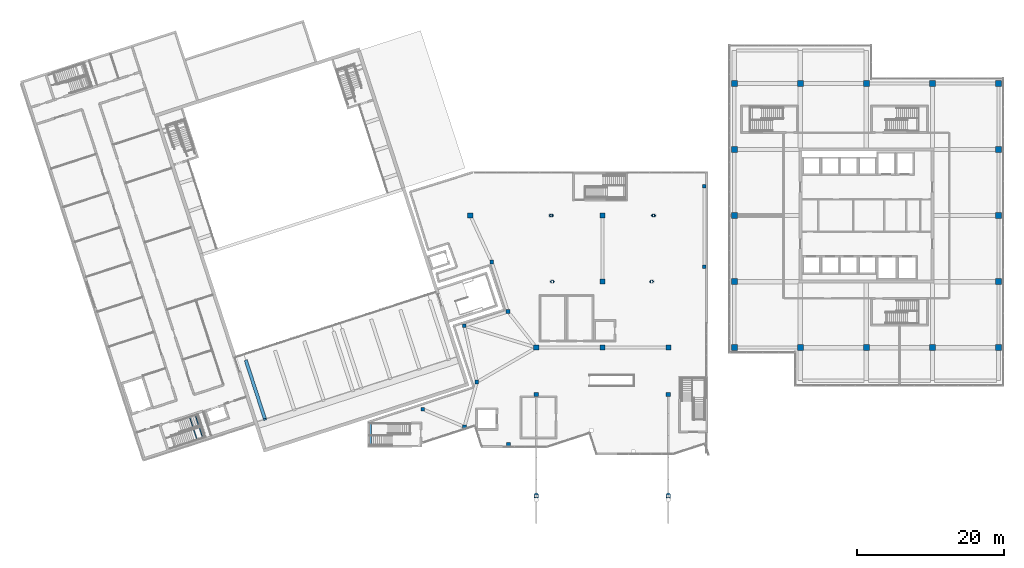
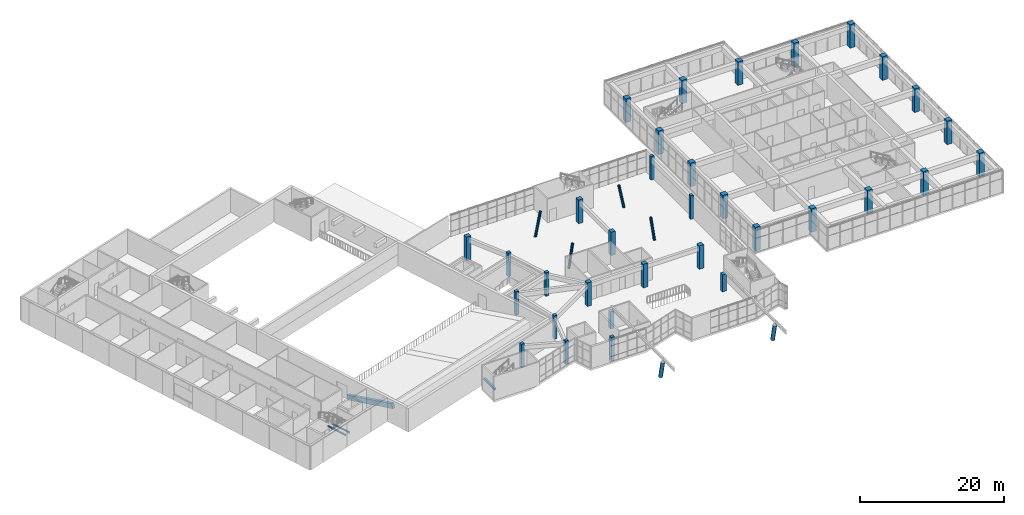
# One storey, part 1 of 65: 39 columns, 4 beams.
"""IFC4 building model written with IfcOpenShell, lengths in metres."""

import ifcopenshell
import ifcopenshell.guid

model = None  # the IFC model being written
_history = None  # IfcOwnerHistory: only IFC2X3 demands one
_inside = {}  # id of a spatial element -> (the spatial element, [elements in it])
_under = {}  # id of a project, library or spatial element -> (it, [spatial elements below it])
_declared = {}  # id of a project -> (the project, [libraries it declares])
_typed = {}  # id of a type object -> (the type object, [elements of that type])
_made_of = {}  # id of a material, layer set ... -> (it, [elements and type objects made of it])


def new_model(schema):
    """Start an empty IFC model of exactly this schema.

    Asked for "IFC4X3", IfcOpenShell would pick the latest addendum, in which some entities
    have other attributes; the version numbers below select the first issue.
    IFC2X3 requires an IfcOwnerHistory on every rooted entity: one is made here for all.
    """
    global model, _history
    if schema == "IFC4X3":
        model = ifcopenshell.file(schema_version=(4, 3, 0, 0))
    else:
        model = ifcopenshell.file(schema=schema)
    _inside.clear()
    _under.clear()
    _declared.clear()
    _typed.clear()
    _made_of.clear()
    _history = None
    if model.schema == "IFC2X3":
        org = make("IfcOrganization", Name="unknown")
        user = make(
            "IfcPersonAndOrganization",
            ThePerson=make("IfcPerson", FamilyName="unknown"),
            TheOrganization=org,
        )
        app = make(
            "IfcApplication",
            ApplicationDeveloper=org,
            Version="unknown",
            ApplicationFullName="unknown",
            ApplicationIdentifier="unknown",
        )
        _history = make(
            "IfcOwnerHistory",
            OwningUser=user,
            OwningApplication=app,
            ChangeAction="ADDED",
            CreationDate=0,
        )
    return model


def make(cls, **values):
    """One entity of the class cls with the attributes given. An attribute that is None is left unset."""
    return model.create_entity(
        cls, **{name: value for name, value in values.items() if value is not None}
    )


def rooted(cls, **values):
    """An entity with a GlobalId (a new one), such as an element, a storey or a relation."""
    return make(cls, GlobalId=ifcopenshell.guid.new(), OwnerHistory=_history, **values)


def si_unit(unit_type, name, prefix=None):
    """IfcSIUnit, for example si_unit("LENGTHUNIT", "METRE", prefix="MILLI")."""
    return make("IfcSIUnit", UnitType=unit_type, Prefix=prefix, Name=name)


def assignment(units):
    """IfcUnitAssignment: the units of a project."""
    return None if units is None else make("IfcUnitAssignment", Units=units)


def point(xyz):
    """IfcCartesianPoint."""
    return None if xyz is None else make("IfcCartesianPoint", Coordinates=xyz)


def direction(xyz):
    """IfcDirection."""
    return None if xyz is None else make("IfcDirection", DirectionRatios=xyz)


def frame(location, z_axis=None, x_axis=None):
    """IfcAxis2Placement3D, a coordinate frame: its origin and axes. An axis left out is left unset."""
    return make(
        "IfcAxis2Placement3D",
        Location=point(location),
        Axis=direction(z_axis),
        RefDirection=direction(x_axis),
    )


def frame_2d(location, x_axis=None):
    """IfcAxis2Placement2D, a coordinate frame in the plane: its origin and x axis."""
    return make(
        "IfcAxis2Placement2D", Location=point(location), RefDirection=direction(x_axis)
    )


def origin():
    """The frame at (0, 0, 0) with its axes left unset."""
    return frame((0.0, 0.0, 0.0))


def origin_2d():
    """The frame at (0, 0) in the plane with its x axis left unset."""
    return frame_2d((0.0, 0.0))


def place(relative_to, where):
    """IfcLocalPlacement: puts the frame where relative to a parent placement (None: the world)."""
    return make(
        "IfcLocalPlacement", PlacementRelTo=relative_to, RelativePlacement=where
    )


def context(
    kind, dimensions, precision=None, world=None, true_north=None, identifier=None
):
    """IfcGeometricRepresentationContext, for example the 3D "Model" context."""
    return make(
        "IfcGeometricRepresentationContext",
        ContextIdentifier=identifier,
        ContextType=kind,
        CoordinateSpaceDimension=dimensions,
        Precision=precision,
        WorldCoordinateSystem=world,
        TrueNorth=true_north,
    )


def subcontext(parent, identifier, kind, view, scale=None):
    """IfcGeometricRepresentationSubContext, for example "Body" below "Model"."""
    return make(
        "IfcGeometricRepresentationSubContext",
        ContextIdentifier=identifier,
        ContextType=kind,
        ParentContext=parent,
        TargetScale=scale,
        TargetView=view,
    )


def project(units=None, contexts=None):
    """IfcProject with its units and contexts."""
    return rooted(
        "IfcProject",
        Name="project",
        RepresentationContexts=contexts,
        UnitsInContext=assignment(units),
    )


def spatial(cls, under=None, at=None, **own):
    """A site, building, storey or space (cls), placed at a placement, below another one or the project."""
    s = rooted(cls, ObjectPlacement=at, **own)
    if under is not None:
        _under.setdefault(under.id(), (under, []))[1].append(s)
    return s


def profile(cls, at=None, kind="AREA", **sizes):
    """A parametric profile (cls). Its sizes go by their IFC names, for example OverallWidth=200.0."""
    return make(cls, ProfileType=kind, Position=at, **sizes)


def rectangle(**sizes):
    """IfcRectangleProfileDef."""
    return profile("IfcRectangleProfileDef", **sizes)


def hollow_circle(**sizes):
    """IfcCircleHollowProfileDef."""
    return profile("IfcCircleHollowProfileDef", **sizes)


def i_section(**sizes):
    """IfcIShapeProfileDef."""
    return profile("IfcIShapeProfileDef", **sizes)


def extrude(swept, where, along, depth):
    """IfcExtrudedAreaSolid: the profile swept, set in the frame where, extruded along a direction by depth."""
    return make(
        "IfcExtrudedAreaSolid",
        SweptArea=swept,
        Position=where,
        ExtrudedDirection=direction(along),
        Depth=depth,
    )


def shape(context_of_items, identifier, shape_type, items):
    """IfcShapeRepresentation: the items that make up one representation, for example the "Body"."""
    return make(
        "IfcShapeRepresentation",
        ContextOfItems=context_of_items,
        RepresentationIdentifier=identifier,
        RepresentationType=shape_type,
        Items=items,
    )


def material(Name=None, Category=None):
    """IfcMaterial."""
    return make("IfcMaterial", Name=Name, Category=Category)


def material_profile(
    of_material, cross_section, Name=None, Category=None, Priority=None
):
    """IfcMaterialProfile: a cross section and its material."""
    return make(
        "IfcMaterialProfile",
        Name=Name,
        Material=of_material,
        Profile=cross_section,
        Priority=Priority,
        Category=Category,
    )


def profile_set(profiles, Name=None, composite=None):
    """IfcMaterialProfileSet."""
    return make(
        "IfcMaterialProfileSet",
        Name=Name,
        MaterialProfiles=profiles,
        CompositeProfile=composite,
    )


def made_of(thing, what):
    """Note that an element or type object is made of a material, layer set ...; save() writes the relation."""
    if what is not None:
        _made_of.setdefault(what.id(), (what, []))[1].append(thing)
    return thing


def type_object(cls, material=None, **own):
    """A type object (cls), such as IfcWallType, which elements share."""
    return made_of(rooted(cls, **own), material)


def element(
    cls,
    number,
    at=None,
    inside=None,
    cuts=None,
    type_object=None,
    material=None,
    context=None,
    identifier="Body",
    shape_type=None,
    held_by="IfcProductDefinitionShape",
    body=None,
    shapes=None,
    **own,
):
    """One element of the class cls, such as IfcWall. Its Tag is "e" and its number.

    at: its placement. inside: the storey or other place that contains it. cuts: it is an
    opening in that element (IfcRelVoidsElement). A single representation is given by context,
    identifier, shape_type and body (its items); several are given by shapes. held_by: the class
    of the entity that holds the representations. save() writes the other relations.
    """
    e = rooted(cls, Tag="e%d" % number, ObjectPlacement=at, **own)
    if body is not None:
        shapes = [shape(context, identifier, shape_type, body)]
    if shapes is not None:
        e.Representation = make(held_by, Representations=shapes)
    if inside is not None:
        _inside.setdefault(inside.id(), (inside, []))[1].append(e)
    if cuts is not None:
        rooted(
            "IfcRelVoidsElement", RelatingBuildingElement=cuts, RelatedOpeningElement=e
        )
    if type_object is not None:
        _typed.setdefault(type_object.id(), (type_object, []))[1].append(e)
    return made_of(e, material)


def aggregate(whole, parts):
    """IfcRelAggregates: a whole, such as a stair, and the parts it consists of."""
    return rooted("IfcRelAggregates", RelatingObject=whole, RelatedObjects=parts)


def save(model, path):
    """Write the relations noted so far, then the file.

    IfcRelAggregates (storeys below a building ...), IfcRelContainedInSpatialStructure (elements
    in a storey), IfcRelDefinesByType, IfcRelAssociatesMaterial and IfcRelDeclares: one each for
    every whole, place, type object, material and project.
    """
    for whole, parts in _under.values():
        aggregate(whole, parts)
    for where, things in _inside.values():
        rooted(
            "IfcRelContainedInSpatialStructure",
            RelatedElements=things,
            RelatingStructure=where,
        )
    for kind, things in _typed.values():
        rooted("IfcRelDefinesByType", RelatedObjects=things, RelatingType=kind)
    for what, things in _made_of.values():
        rooted("IfcRelAssociatesMaterial", RelatedObjects=things, RelatingMaterial=what)
    for by, libraries in _declared.values():
        rooted("IfcRelDeclares", RelatingContext=by, RelatedDefinitions=libraries)
    model.write(path)


model = new_model("IFC4")

# Units and contexts
model_context = context("Model", 3, precision=1e-05, world=origin(), true_north=direction((0.0, 1.0)))
body_context = subcontext(model_context, "Body", "Model", "MODEL_VIEW")
ifc_project = project(units=[si_unit("LENGTHUNIT", "METRE"), si_unit("AREAUNIT", "SQUARE_METRE"), si_unit("VOLUMEUNIT", "CUBIC_METRE"), si_unit("PLANEANGLEUNIT", "RADIAN"), si_unit("MASSUNIT", "GRAM", prefix="KILO")], contexts=[model_context])

# Site, building, storey
site_placement = place(None, origin())
site = spatial("IfcSite", under=ifc_project, at=site_placement, CompositionType="ELEMENT")
building_placement = place(site_placement, origin())
building = spatial("IfcBuilding", under=site, at=building_placement, Name="Tuart Plaza Theatre", CompositionType="ELEMENT")
storey_placement = place(building_placement, frame((0.0, 0.0, 9.5)))
storey = spatial("IfcBuildingStorey", under=building, at=storey_placement, Name="L02", CompositionType="ELEMENT", Elevation=9.5)

# Columns
ifc_material_1 = material(Name="Steel Grade C350L0", Category="steel")
ifc_material_profile_1 = material_profile(ifc_material_1, hollow_circle(Radius=0.203125, WallThickness=0.0126953125, at=origin_2d()), Name="406.4x12.7 CHS")
ifc_profile_set_1 = profile_set([ifc_material_profile_1], Name="Steel Grade C350L0")
column_type_1 = type_object("IfcColumnType", Name="COLUMN 406.4x12.7 CHS", PredefinedType="COLUMN", material=ifc_profile_set_1)
for number, where, z_axis, x_axis, name in (
    (1, (89.084228515625, 65.0, 0.0), (0.144228040259, 0.0, 0.989544477223), (0.0, 1.0, 0.0), "SC27"),
    (2, (102.815673828125, 65.0, 0.0), (-0.144168898847, 0.0, 0.989553095395), (0.0, -1.0, 0.0), "SC28"),
):
    element("IfcColumn", number, at=place(storey_placement, frame(where, z_axis=z_axis, x_axis=x_axis)), inside=storey, type_object=column_type_1, Name=name, PredefinedType="COLUMN", context=body_context, shape_type="SweptSolid", body=[
        extrude(hollow_circle(Radius=0.203125, WallThickness=0.0126953125, at=origin_2d()), origin(), (0.0, 0.0, 1.0), 4.042236328125),
    ])
for number, where, z_axis, x_axis, name in (
    (3, (88.89990234375, 74.0, 0.0), (0.196127644693, 0.0, 0.98057837371), (0.0, 1.0, 0.0), "SC29"),
    (4, (103.10009765625, 74.0, 0.0), (-0.196127644693, 0.0, 0.98057837371), (0.0, -1.0, 0.0), "SC30"),
):
    element("IfcColumn", number, at=place(storey_placement, frame(where, z_axis=z_axis, x_axis=x_axis)), inside=storey, type_object=column_type_1, Name=name, PredefinedType="COLUMN", context=body_context, shape_type="SweptSolid", body=[
        extrude(hollow_circle(Radius=0.203125, WallThickness=0.0126953125, at=origin_2d()), origin(), (0.0, 0.0, 1.0), 4.079345703125),
    ])
ifc_material_2 = material(Name="Concrete N50 (50 MPa)", Category="concrete")
ifc_material_profile_2 = material_profile(ifc_material_2, rectangle(XDim=0.5, YDim=0.5, at=origin_2d()), Name="COLUMN 500x500 Concrete N50 (50 MPa)")
ifc_profile_set_2 = profile_set([ifc_material_profile_2], Name="Concrete N50 (50 MPa)")
column_type_2 = type_object("IfcColumnType", Name="COLUMN 500x500 Concrete N50 (50 MPa)", PredefinedType="COLUMN", material=ifc_profile_set_2)
for number, where, z_axis, x_axis, name in (
    (5, (109.909912109375, 78.0, 0.0), (0.0, 0.0, 1.0), (1.0, 0.0, 0.0), "C37"),
    (6, (109.909912109375, 67.0, 0.0), (0.0, 0.0, 1.0), (1.0, 0.0, 0.0), "C38"),
    (7, (83.199951171875, 42.780029296875, 0.0), (0.0, 0.0, 1.0), (1.0, 0.0, 0.0), "C41"),
    (8, (77.199951171875, 45.199951171875, 0.0), (0.0, 0.0, 1.0), (1.0, 0.0, 0.0), "C42"),
    (9, (71.5, 47.60009765625, 0.0), (0.0, 0.0, 1.0), (1.0, 0.0, 0.0), "C43"),
    (10, (78.89990234375, 51.300048828125, 0.0), (0.0, 0.0, 1.0), (1.0, 0.0, 0.0), "C44"),
    (11, (77.181640625, 58.9853515625, 0.0), (0.0, 0.0, 1.0), (1.0, 0.0, 0.0), "C45"),
    (12, (83.1298828125, 60.909912109375, 0.0), (0.0, 0.0, 1.0), (1.0, 0.0, 0.0), "C46"),
    (13, (80.929931640625, 67.659912109375, 0.0), (0.0, 0.0, 1.0), (1.0, 0.0, 0.0), "C47"),
):
    element("IfcColumn", number, at=place(storey_placement, frame(where, z_axis=z_axis, x_axis=x_axis)), inside=storey, type_object=column_type_2, Name=name, PredefinedType="COLUMN", context=body_context, shape_type="SweptSolid", body=[
        extrude(rectangle(XDim=0.5, YDim=0.5, at=origin_2d()), origin(), (0.0, 0.0, 1.0), 4.0),
    ])
ifc_material_3 = material(Name="Concrete N50 (50 MPa)", Category="concrete")
ifc_material_profile_3 = material_profile(ifc_material_3, rectangle(XDim=0.60009765625, YDim=0.60009765625, at=origin_2d()), Name="COLUMN 600x600 Concrete N50 (50 MPa)")
ifc_profile_set_3 = profile_set([ifc_material_profile_3], Name="Concrete N50 (50 MPa)")
column_type_3 = type_object("IfcColumnType", Name="COLUMN 600x600 Concrete N50 (50 MPa)", PredefinedType="COLUMN", material=ifc_profile_set_3)
for number, where, z_axis, x_axis, name in (
    (14, (87.0, 49.60009765625, 0.0), (0.0, 0.0, 1.0), (1.0, 0.0, 0.0), "C48"),
    (15, (105.0, 49.60009765625, 0.0), (0.0, 0.0, 1.0), (1.0, 0.0, 0.0), "C49"),
):
    element("IfcColumn", number, at=place(storey_placement, frame(where, z_axis=z_axis, x_axis=x_axis)), inside=storey, type_object=column_type_3, Name=name, PredefinedType="COLUMN", context=body_context, shape_type="SweptSolid", body=[
        extrude(rectangle(XDim=0.60009765625, YDim=0.60009765625, at=origin_2d()), origin(), (0.0, 0.0, 1.0), 2.89990234375),
    ])
ifc_material_4 = material(Name="Steel Grade C350L0", Category="steel")
ifc_material_profile_4 = material_profile(ifc_material_4, hollow_circle(Radius=0.304931640625, WallThickness=0.0126953125, at=origin_2d()), Name="610x12.7 CHS")
ifc_profile_set_4 = profile_set([ifc_material_profile_4], Name="Steel Grade C350L0")
column_type_4 = type_object("IfcColumnType", Name="COLUMN 610x12.7 CHS", PredefinedType="COLUMN", material=ifc_profile_set_4)
for number, where, z_axis, x_axis, name in (
    (16, (87.0, 35.888916015625, 0.0), (0.0, -0.216983887179, 0.976175185458), (1.0, 0.0, 0.0), "SC25"),
    (17, (105.0, 35.888916015625, 0.0), (0.0, -0.216983887179, 0.976175185458), (1.0, 0.0, 0.0), "SC26"),
):
    element("IfcColumn", number, at=place(storey_placement, frame(where, z_axis=z_axis, x_axis=x_axis)), inside=storey, type_object=column_type_4, Name=name, PredefinedType="COLUMN", context=body_context, shape_type="SweptSolid", body=[
        extrude(hollow_circle(Radius=0.304931640625, WallThickness=0.0126953125, at=origin_2d()), origin(), (0.0, 0.0, 1.0), 2.90283203125),
    ])
ifc_material_5 = material(Name="Concrete N50 (50 MPa)", Category="concrete")
ifc_material_profile_5 = material_profile(ifc_material_5, rectangle(XDim=0.699951171875, YDim=0.699951171875, at=origin_2d()), Name="COLUMN 700x700 Concrete N50 (50 MPa)")
ifc_profile_set_5 = profile_set([ifc_material_profile_5], Name="Concrete N50 (50 MPa)")
column_type_5 = type_object("IfcColumnType", Name="COLUMN 700x700 Concrete N50 (50 MPa)", PredefinedType="COLUMN", material=ifc_profile_set_5)
for number, where, z_axis, x_axis, name in (
    (18, (78.0, 74.0, 0.0), (0.0, 0.0, 1.0), (1.0, 0.0, 0.0), "C31"),
    (19, (87.0, 56.0, 0.0), (0.0, 0.0, 1.0), (1.0, 0.0, 0.0), "C32"),
    (20, (96.0, 56.0, 0.0), (0.0, 0.0, 1.0), (1.0, 0.0, 0.0), "C33"),
    (21, (96.0, 65.0, 0.0), (0.0, 0.0, 1.0), (1.0, 0.0, 0.0), "C34"),
    (22, (96.0, 74.0, 0.0), (0.0, 0.0, 1.0), (1.0, 0.0, 0.0), "C35"),
    (23, (105.0, 56.0, 0.0), (0.0, 0.0, 1.0), (1.0, 0.0, 0.0), "C36"),
):
    element("IfcColumn", number, at=place(storey_placement, frame(where, z_axis=z_axis, x_axis=x_axis)), inside=storey, type_object=column_type_5, Name=name, PredefinedType="COLUMN", context=body_context, shape_type="SweptSolid", body=[
        extrude(rectangle(XDim=0.699951171875, YDim=0.699951171875, at=origin_2d()), origin(), (0.0, 0.0, 1.0), 4.0),
    ])
ifc_material_6 = material(Name="Concrete N50 (50 MPa)", Category="concrete")
ifc_material_profile_6 = material_profile(ifc_material_6, rectangle(XDim=0.800048828125, YDim=0.800048828125, at=origin_2d()), Name="COLUMN 800x800 Concrete N50 (50 MPa)")
ifc_profile_set_6 = profile_set([ifc_material_profile_6], Name="Concrete N50 (50 MPa)")
column_type_6 = type_object("IfcColumnType", Name="COLUMN 800x800 Concrete N50 (50 MPa)", PredefinedType="COLUMN", material=ifc_profile_set_6)
for number, where, z_axis, x_axis, name in (
    (24, (114.0, 56.0, 0.0), (0.0, 0.0, 1.0), (1.0, 0.0, 0.0), "C50"),
    (25, (114.0, 65.0, 0.0), (0.0, 0.0, 1.0), (1.0, 0.0, 0.0), "C51"),
    (26, (114.0, 74.0, 0.0), (0.0, 0.0, 1.0), (1.0, 0.0, 0.0), "C52"),
    (27, (114.0, 83.0, 0.0), (0.0, 0.0, 1.0), (1.0, 0.0, 0.0), "C53"),
    (28, (114.0, 92.0, 0.0), (0.0, 0.0, 1.0), (1.0, 0.0, 0.0), "C54"),
    (29, (123.0, 56.0, 0.0), (0.0, 0.0, 1.0), (1.0, 0.0, 0.0), "C55"),
    (30, (123.0, 92.0, 0.0), (0.0, 0.0, 1.0), (1.0, 0.0, 0.0), "C56"),
    (31, (132.0, 56.0, 0.0), (0.0, 0.0, 1.0), (1.0, 0.0, 0.0), "C57"),
    (32, (132.0, 92.0, 0.0), (0.0, 0.0, 1.0), (1.0, 0.0, 0.0), "C58"),
    (33, (141.0, 56.0, 0.0), (0.0, 0.0, 1.0), (1.0, 0.0, 0.0), "C59"),
    (34, (141.0, 92.0, 0.0), (0.0, 0.0, 1.0), (1.0, 0.0, 0.0), "C60"),
    (35, (150.0, 56.0, 0.0), (0.0, 0.0, 1.0), (1.0, 0.0, 0.0), "C61"),
    (36, (150.0, 65.0, 0.0), (0.0, 0.0, 1.0), (1.0, 0.0, 0.0), "C62"),
    (37, (150.0, 74.0, 0.0), (0.0, 0.0, 1.0), (1.0, 0.0, 0.0), "C63"),
    (38, (150.0, 83.0, 0.0), (0.0, 0.0, 1.0), (1.0, 0.0, 0.0), "C64"),
    (39, (150.0, 92.0, 0.0), (0.0, 0.0, 1.0), (1.0, 0.0, 0.0), "C65"),
):
    element("IfcColumn", number, at=place(storey_placement, frame(where, z_axis=z_axis, x_axis=x_axis)), inside=storey, type_object=column_type_6, Name=name, PredefinedType="COLUMN", context=body_context, shape_type="SweptSolid", body=[
        extrude(rectangle(XDim=0.800048828125, YDim=0.800048828125, at=origin_2d()), origin(), (0.0, 0.0, 1.0), 4.0),
    ])

# Beams
ifc_material_7 = material(Name="Steel Grade 300", Category="steel")
ifc_material_profile_7 = material_profile(ifc_material_7, i_section(OverallWidth=0.14599609375, OverallDepth=0.256103515625, WebThickness=0.00634765625, FlangeThickness=0.010986328125, FilletRadius=0.0087890625, at=origin_2d()), Name="250UB37.3")
ifc_profile_set_7 = profile_set([ifc_material_profile_7], Name="Steel Grade 300")
beam_type_1 = type_object("IfcBeamType", Name="BEAM 250UB37.3", PredefinedType="BEAM", material=ifc_profile_set_7)
for number, where, z_axis, x_axis, name in (
    (40, (40.498291015625, 46.851318359375, 1.672119140625), (0.309045481752, -0.951047259714, 0.0), (0.951047259714, 0.309045481752, 0.0), "SB9"),
    (41, (39.72314453125, 46.599365234375, 1.672119140625), (0.309045481752, -0.951047259714, 0.0), (0.951047259714, 0.309045481752, 0.0), "SB10"),
):
    element("IfcBeam", number, at=place(storey_placement, frame(where, z_axis=z_axis, x_axis=x_axis)), inside=storey, type_object=beam_type_1, Name=name, PredefinedType="BEAM", context=body_context, shape_type="SweptSolid", body=[
        extrude(i_section(OverallWidth=0.14599609375, OverallDepth=0.256103515625, WebThickness=0.00634765625, FlangeThickness=0.010986328125, FilletRadius=0.0087890625, at=origin_2d()), origin(), (0.0, 0.0, 1.0), 3.400146484375),
    ])
ifc_material_8 = material(Name="Concrete N40 (40 MPa)", Category="concrete")
ifc_material_profile_8 = material_profile(ifc_material_8, rectangle(XDim=0.300048828125, YDim=0.300048828125, at=origin_2d()), Name="BEAM 300x300 Concrete N40 (40 MPa)")
ifc_profile_set_8 = profile_set([ifc_material_profile_8], Name="Concrete N40 (40 MPa)")
beam_type_2 = type_object("IfcBeamType", Name="BEAM 300x300 Concrete N40 (40 MPa)", PredefinedType="BEAM", material=ifc_profile_set_8)
beam_1_placement = place(storey_placement, frame((64.35205078125, 45.64990234375, 1.64990234375), z_axis=(0.0, -1.0, 0.0), x_axis=(1.0, 0.0, 0.0)))
element("IfcBeam", 42, at=beam_1_placement, inside=storey, type_object=beam_type_2, Name="RB55", PredefinedType="BEAM", context=body_context, shape_type="SweptSolid", body=[
    extrude(rectangle(XDim=0.300048828125, YDim=0.300048828125, at=origin_2d()), origin(), (0.0, 0.0, 1.0), 3.0),
])
ifc_material_9 = material(Name="Concrete N40 (40 MPa)", Category="concrete")
ifc_material_profile_9 = material_profile(ifc_material_9, rectangle(XDim=0.449951171875, YDim=0.800048828125, at=origin_2d()), Name="BEAM 450x800 Concrete N40 SLOPED")
ifc_profile_set_9 = profile_set([ifc_material_profile_9], Name="Concrete N40 (40 MPa)")
beam_type_3 = type_object("IfcBeamType", Name="BEAM 450x800 Concrete N40 SLOPED", PredefinedType="BEAM", material=ifc_profile_set_9)
beam_2_placement = place(storey_placement, frame((50.024169921875, 46.213623046875, 1.72314453125), z_axis=(-0.296780216697, 0.913339511988, -0.278805378029), x_axis=(-0.951050940352, -0.309034154838, 0.0)))
element("IfcBeam", 43, at=beam_2_placement, inside=storey, type_object=beam_type_3, Name="RB26", PredefinedType="BEAM", context=body_context, shape_type="SweptSolid", body=[
    extrude(rectangle(XDim=0.449951171875, YDim=0.800048828125, at=origin_2d()), origin(), (0.0, 0.0, 1.0), 8.7470703125),
])

save(model, "model.ifc")
